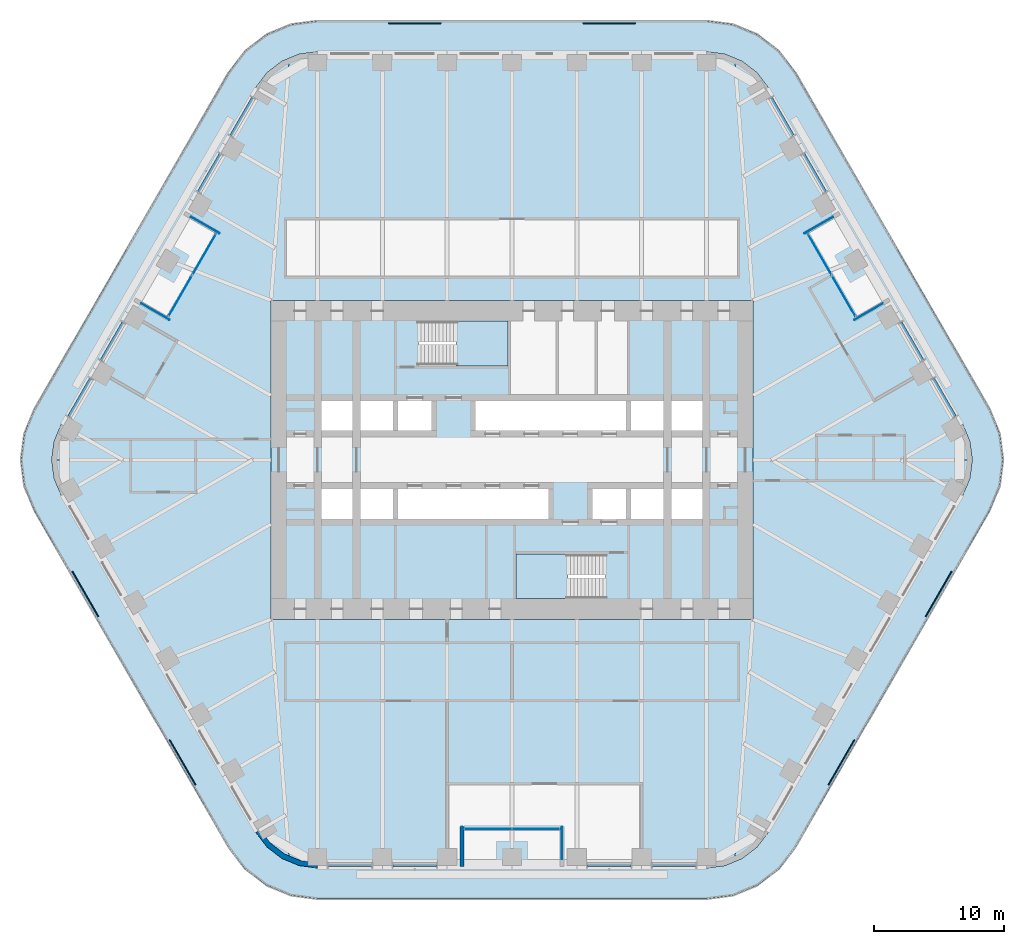
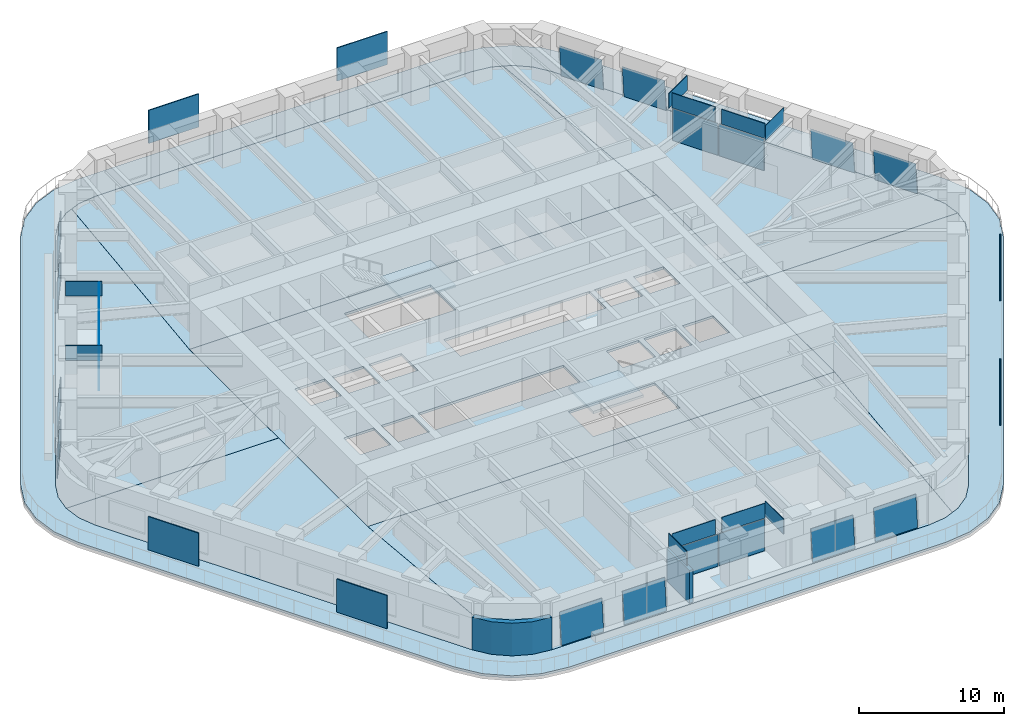
# One storey, part 16 of 24: 36 plates, 10 slabs, 2 walls, 17 elements without a shape of their own.
"""IFC4 building model written with IfcOpenShell, lengths in metres."""

from ifc_helpers import new_model, si_unit, direction, frame, frame_2d, origin, origin_2d, place, context, subcontext, project, spatial, polyline, rectangle, outline, extrude, material, layer, layer_set, type_object, element, aggregate, save


model = new_model("IFC4")

# Units and contexts
model_context = context("Model", 3, precision=1e-05, world=origin(), true_north=direction((0.0, 1.0)))
body_context = subcontext(model_context, "Body", "Model", "MODEL_VIEW")
ifc_project = project(units=[si_unit("LENGTHUNIT", "METRE"), si_unit("AREAUNIT", "SQUARE_METRE"), si_unit("VOLUMEUNIT", "CUBIC_METRE"), si_unit("PLANEANGLEUNIT", "RADIAN"), si_unit("MASSUNIT", "GRAM", prefix="KILO")], contexts=[model_context])

# Site, building, storey
site_placement = place(None, origin())
site = spatial("IfcSite", under=ifc_project, at=site_placement, CompositionType="ELEMENT")
building_placement = place(site_placement, origin())
building = spatial("IfcBuilding", under=site, at=building_placement, Name="Tarfa Lantern Tower", CompositionType="ELEMENT")
storey_placement = place(building_placement, frame((0.0, 0.0, 182.5)))
storey = spatial("IfcBuildingStorey", under=building, at=storey_placement, Name="L41", CompositionType="ELEMENT", Elevation=182.5)

# Slab
ifc_material_1 = material(Name="Concrete C40/50", Category="concrete")
ifc_layer_1 = layer(ifc_material_1, 0.199951171875)
ifc_layer_set_1 = layer_set([ifc_layer_1], Name="BS2 BALCONY SLAB 200")
slab_type_1 = type_object("IfcSlabType", Name="BS2 BALCONY SLAB 200", PredefinedType="FLOOR", material=ifc_layer_set_1)
slab_1_placement = place(storey_placement, frame((0.0, 0.0, -0.199951171875)))
element("IfcSlab", 1, at=slab_1_placement, inside=storey, type_object=slab_type_1, Name="Balcony L41", PredefinedType="FLOOR", context=body_context, shape_type="SweptSolid", body=[
    extrude(outline(polyline([(36.86376953125, 3.949951171875), (21.852783203125, 29.949951171875), (20.59716796875, 31.586181640625), (18.961181640625, 32.841552734375), (17.0556640625, 33.630859375), (15.010986328125, 33.89990234375), (-15.010986328125, 33.89990234375), (-17.0556640625, 33.630859375), (-18.961181640625, 32.841552734375), (-20.59716796875, 31.586181640625), (-21.852783203125, 29.949951171875), (-36.86376953125, 3.949951171875), (-37.653076171875, 2.044677734375), (-37.922119140625, 0.0), (-37.653076171875, -2.044677734375), (-36.86376953125, -3.949951171875), (-21.852783203125, -29.949951171875), (-20.59716796875, -31.586181640625), (-18.961181640625, -32.841552734375), (-17.0556640625, -33.630859375), (-15.010986328125, -33.89990234375), (15.010986328125, -33.89990234375), (17.0556640625, -33.630859375), (18.961181640625, -32.841552734375), (20.59716796875, -31.586181640625), (21.852783203125, -29.949951171875), (36.86376953125, -3.949951171875), (37.653076171875, -2.044677734375), (37.922119140625, 0.0), (37.653076171875, 2.044677734375), (36.86376953125, 3.949951171875)]), holes=[polyline([(34.785400390625, 2.75), (19.774169921875, 28.75), (18.900146484375, 29.88916015625), (17.760986328125, 30.76318359375), (16.4345703125, 31.3125), (15.010986328125, 31.5), (-15.010986328125, 31.5), (-16.4345703125, 31.3125), (-17.760986328125, 30.76318359375), (-18.900146484375, 29.88916015625), (-19.774169921875, 28.75), (-34.785400390625, 2.75), (-35.334716796875, 1.423583984375), (-35.522216796875, 0.0), (-35.334716796875, -1.423583984375), (-34.785400390625, -2.75), (-19.774169921875, -28.75), (-18.900146484375, -29.88916015625), (-17.760986328125, -30.76318359375), (-16.4345703125, -31.3125), (-15.010986328125, -31.5), (15.010986328125, -31.5), (16.4345703125, -31.3125), (17.760986328125, -30.76318359375), (18.900146484375, -29.88916015625), (19.774169921875, -28.75), (34.785400390625, -2.75), (35.334716796875, -1.423583984375), (35.522216796875, 0.0), (35.334716796875, 1.423583984375), (34.785400390625, 2.75)])]), origin(), (0.0, 0.0, 1.0), 0.199951171875),
])

# Curtain wall, plate
ifc_material_2 = material(Name="Aluminium framed curtain wall", Category="aluminium")
curtain_wall_type_1 = type_object("IfcCurtainWallType", Name="CW2 CANTED GLAZING MID ZONE 2750", PredefinedType="USERDEFINED", material=ifc_material_2)
curtain_wall_1_placement = place(storey_placement, origin())
curtain_wall_1 = element("IfcCurtainWall", 2, at=curtain_wall_1_placement, inside=storey, type_object=curtain_wall_type_1, Name="CW2 NE L41", ObjectType="CURTAIN WALL", PredefinedType="USERDEFINED")
ifc_material_3 = material(Name="Laminated double glazing", Category="glass")
ifc_layer_2 = layer(ifc_material_3, 0.028076171875)
ifc_layer_set_2 = layer_set([ifc_layer_2], Name="CWP1 DOUBLE GLAZED PANEL")
plate_type_1 = type_object("IfcPlateType", Name="CWP1 DOUBLE GLAZED PANEL", PredefinedType="CURTAIN_PANEL", material=ifc_layer_set_2)
plate_1_placement = place(storey_placement, frame((34.291259765625, 3.40576171875, 0.0), z_axis=(0.862490403653, 0.497906600839, 0.090550099107), x_axis=(-0.499960487749, 0.866048214992, 0.0)))
plate_1 = element("IfcPlate", 3, at=plate_1_placement, type_object=plate_type_1, Name="CW2 panel 1.1", PredefinedType="CURTAIN_PANEL", context=body_context, shape_type="SweptSolid", body=[
    extrude(outline(polyline([(0.0, 0.0), (3.373801769256558, 0.0), (3.373787529728875, 2.6961345800680987), (-1.4239527682619046e-05, 2.6961345800680987), (0.0, 0.0)])), origin(), (0.0, 0.0, -1.0), 0.028076171875),
])
aggregate(curtain_wall_1, [plate_1])

curtain_wall_2_placement = place(storey_placement, origin())
curtain_wall_2 = element("IfcCurtainWall", 4, at=curtain_wall_2_placement, inside=storey, type_object=curtain_wall_type_1, Name="CW2 NE L41", ObjectType="CURTAIN WALL", PredefinedType="USERDEFINED")
plate_2_placement = place(storey_placement, frame((31.789306640625, 7.7392578125, 0.0), z_axis=(0.86245984588, 0.497966600243, 0.090511210832), x_axis=(-0.500018737427, 0.866014585451, -2.824613e-06)))
plate_2 = element("IfcPlate", 5, at=plate_2_placement, type_object=plate_type_1, Name="CW2 panel 1.1", PredefinedType="CURTAIN_PANEL", context=body_context, shape_type="SweptSolid", body=[
    extrude(outline(polyline([(0.0, 0.0), (3.3735903322694574, -2.7755575615628914e-17), (3.373584929142382, 2.6961345780447465), (-0.00012747801414286628, 2.696115440975584), (0.0, 0.0)])), origin(), (0.0, 0.0, -1.0), 0.028076171875),
])
aggregate(curtain_wall_2, [plate_2])

curtain_wall_3_placement = place(storey_placement, origin())
curtain_wall_3 = element("IfcCurtainWall", 6, at=curtain_wall_3_placement, inside=storey, type_object=curtain_wall_type_1, Name="CW2 NEB L41", ObjectType="CURTAIN WALL", PredefinedType="USERDEFINED")
plate_3_placement = place(storey_placement, frame((24.283935546875, 20.7392578125, 0.0), z_axis=(0.862441180369, 0.497991857304, 0.090550099186), x_axis=(-0.500046095904, 0.865998788666, 0.0)))
plate_3 = element("IfcPlate", 7, at=plate_3_placement, type_object=plate_type_1, Name="CW2 panel 1.1", PredefinedType="CURTAIN_PANEL", context=body_context, shape_type="SweptSolid", body=[
    extrude(outline(polyline([(0.0, 0.0), (3.373712408853507, 2.7755575615628914e-17), (3.373722302583923, 2.696134580087549), (9.893730415961136e-06, 2.696134580087549), (0.0, 0.0)])), origin(), (0.0, 0.0, -1.0), 0.028076171875),
])
aggregate(curtain_wall_3, [plate_3])

curtain_wall_4_placement = place(storey_placement, origin())
curtain_wall_4 = element("IfcCurtainWall", 8, at=curtain_wall_4_placement, inside=storey, type_object=curtain_wall_type_1, Name="CW2 NEB L41", ObjectType="CURTAIN WALL", PredefinedType="USERDEFINED")
plate_4_placement = place(storey_placement, frame((21.781982421875, 25.072509765625, 0.0), z_axis=(0.862472388202, 0.497937806475, 0.090550099238), x_axis=(-0.499991822116, 0.866030125237, 0.0)))
plate_4 = element("IfcPlate", 9, at=plate_4_placement, type_object=plate_type_1, Name="CW2 panel 1.1", PredefinedType="CURTAIN_PANEL", context=body_context, shape_type="SweptSolid", body=[
    extrude(outline(polyline([(0.0, 0.0), (3.3735903339122224, 2.7755575615628914e-17), (3.3735849274996186, 2.6961345801002814), (-5.40641260378432e-06, 2.6961345801002814), (0.0, 0.0)])), origin(), (0.0, 0.0, -1.0), 0.028076171875),
])
aggregate(curtain_wall_4, [plate_4])

# Curtain wall, plates
curtain_wall_type_2 = type_object("IfcCurtainWallType", Name="CW10 LOGGIA GLAZING 2750", PredefinedType="USERDEFINED", material=ifc_material_2)
curtain_wall_5_placement = place(storey_placement, origin())
curtain_wall_5 = element("IfcCurtainWall", 10, at=curtain_wall_5_placement, inside=storey, type_object=curtain_wall_type_2, Name="CW10 NEL L41", ObjectType="CURTAIN WALL", PredefinedType="USERDEFINED")
plate_5_placement = place(storey_placement, frame((25.599609375, 12.660400390625, 0.0), z_axis=(0.0, 0.0, 1.0), x_axis=(-0.5, 0.866025403784, 0.0)))
plate_5 = element("IfcPlate", 11, at=plate_5_placement, type_object=plate_type_1, Name="CW10 panel 1.1", PredefinedType="CURTAIN_PANEL", context=body_context, shape_type="SweptSolid", body=[
    extrude(rectangle(XDim=3.606201171875, YDim=0.028076171875, at=origin_2d()), origin(), (0.0, 0.0, 1.0), 2.68505859375),
])
plate_6_placement = place(storey_placement, frame((23.763916015625, 15.839599609375, 0.0), z_axis=(0.0, 0.0, 1.0), x_axis=(-0.5, 0.866025403784, 0.0)))
plate_6 = element("IfcPlate", 12, at=plate_6_placement, type_object=plate_type_1, Name="CW10 panel 2.1", PredefinedType="CURTAIN_PANEL", context=body_context, shape_type="SweptSolid", body=[
    extrude(rectangle(XDim=3.606201171875, YDim=0.028076171875, at=origin_2d()), origin(), (0.0, 0.0, 1.0), 2.68505859375),
])
aggregate(curtain_wall_5, [plate_5, plate_6])

# Curtain wall, plate
curtain_wall_6_placement = place(storey_placement, origin())
curtain_wall_6 = element("IfcCurtainWall", 13, at=curtain_wall_6_placement, inside=storey, type_object=curtain_wall_type_1, Name="CW2 NW L41", ObjectType="CURTAIN WALL", PredefinedType="USERDEFINED")
plate_7_placement = place(storey_placement, frame((-20.09521484375, 27.994140625, 0.0), z_axis=(-0.862472388202, 0.497937806475, 0.090550099238), x_axis=(-0.499991822116, -0.866030125237, 0.0)))
plate_7 = element("IfcPlate", 14, at=plate_7_placement, type_object=plate_type_1, Name="CW2 panel 1.1", PredefinedType="CURTAIN_PANEL", context=body_context, shape_type="SweptSolid", body=[
    extrude(outline(polyline([(0.0, 0.0), (3.3735903339122224, -2.7755575615628914e-17), (3.3735957403248262, 2.6961345801002814), (5.40641260378432e-06, 2.6961345801002814), (0.0, 0.0)])), origin(), (0.0, 0.0, -1.0), 0.028076171875),
])
aggregate(curtain_wall_6, [plate_7])

curtain_wall_7_placement = place(storey_placement, origin())
curtain_wall_7 = element("IfcCurtainWall", 15, at=curtain_wall_7_placement, inside=storey, type_object=curtain_wall_type_1, Name="CW2 NW L41", ObjectType="CURTAIN WALL", PredefinedType="USERDEFINED")
plate_8_placement = place(storey_placement, frame((-22.596923828125, 23.660888671875, 0.0), z_axis=(-0.862441180369, 0.497991857304, 0.090550099186), x_axis=(-0.500046095904, -0.865998788666, 0.0)))
plate_8 = element("IfcPlate", 16, at=plate_8_placement, type_object=plate_type_1, Name="CW2 panel 1.1", PredefinedType="CURTAIN_PANEL", context=body_context, shape_type="SweptSolid", body=[
    extrude(outline(polyline([(0.0, 0.0), (3.373712408853507, -2.7755575615628914e-17), (3.3737025151230906, 2.696134580087549), (-9.893730415961136e-06, 2.696134580087549), (0.0, 0.0)])), origin(), (0.0, 0.0, -1.0), 0.028076171875),
])
aggregate(curtain_wall_7, [plate_8])

curtain_wall_8_placement = place(storey_placement, origin())
curtain_wall_8 = element("IfcCurtainWall", 17, at=curtain_wall_8_placement, inside=storey, type_object=curtain_wall_type_1, Name="CW2 NWB L41", ObjectType="CURTAIN WALL", PredefinedType="USERDEFINED")
plate_9_placement = place(storey_placement, frame((-30.1025390625, 10.660888671875, 0.0), z_axis=(-0.86245984588, 0.497966600243, 0.090511210832), x_axis=(-0.500018737427, -0.866014585451, 2.824613e-06)))
plate_9 = element("IfcPlate", 18, at=plate_9_placement, type_object=plate_type_1, Name="CW2 panel 1.1", PredefinedType="CURTAIN_PANEL", context=body_context, shape_type="SweptSolid", body=[
    extrude(outline(polyline([(0.0, 0.0), (3.3735903322694574, 2.7755575615628914e-17), (3.3737178102836, 2.696115440975584), (5.4031270756551335e-06, 2.6961345780447465), (0.0, 0.0)])), origin(), (0.0, 0.0, -1.0), 0.028076171875),
])
aggregate(curtain_wall_8, [plate_9])

curtain_wall_9_placement = place(storey_placement, origin())
curtain_wall_9 = element("IfcCurtainWall", 19, at=curtain_wall_9_placement, inside=storey, type_object=curtain_wall_type_1, Name="CW2 NWB L41", ObjectType="CURTAIN WALL", PredefinedType="USERDEFINED")
plate_10_placement = place(storey_placement, frame((-32.6044921875, 6.32763671875, 0.0), z_axis=(-0.862490403653, 0.497906600839, 0.090550099107), x_axis=(-0.499960487749, -0.866048214992, 0.0)))
plate_10 = element("IfcPlate", 20, at=plate_10_placement, type_object=plate_type_1, Name="CW2 panel 1.1", PredefinedType="CURTAIN_PANEL", context=body_context, shape_type="SweptSolid", body=[
    extrude(outline(polyline([(0.0, 0.0), (3.373801769256558, 0.0), (3.37381600878424, 2.6961345800680987), (1.4239527682619046e-05, 2.6961345800680987), (0.0, 0.0)])), origin(), (0.0, 0.0, -1.0), 0.028076171875),
])
aggregate(curtain_wall_9, [plate_10])

# Curtain wall, plates
curtain_wall_10_placement = place(storey_placement, origin())
curtain_wall_10 = element("IfcCurtainWall", 21, at=curtain_wall_10_placement, inside=storey, type_object=curtain_wall_type_2, Name="CW10 NWL L41", ObjectType="CURTAIN WALL", PredefinedType="USERDEFINED")
plate_11_placement = place(storey_placement, frame((-23.763916015625, 15.839599609375, 0.0), z_axis=(0.0, 0.0, 1.0), x_axis=(-0.5, -0.866025403784, 0.0)))
plate_11 = element("IfcPlate", 22, at=plate_11_placement, type_object=plate_type_1, Name="CW10 panel 1.1", PredefinedType="CURTAIN_PANEL", context=body_context, shape_type="SweptSolid", body=[
    extrude(rectangle(XDim=3.606201171875, YDim=0.028076171875, at=origin_2d()), origin(), (0.0, 0.0, 1.0), 2.68505859375),
])
plate_12_placement = place(storey_placement, frame((-25.599609375, 12.660400390625, 0.0), z_axis=(0.0, 0.0, 1.0), x_axis=(-0.5, -0.866025403784, 0.0)))
plate_12 = element("IfcPlate", 23, at=plate_12_placement, type_object=plate_type_1, Name="CW10 panel 2.1", PredefinedType="CURTAIN_PANEL", context=body_context, shape_type="SweptSolid", body=[
    extrude(rectangle(XDim=3.606201171875, YDim=0.028076171875, at=origin_2d()), origin(), (0.0, 0.0, 1.0), 2.68505859375),
])
aggregate(curtain_wall_10, [plate_11, plate_12])

# Curtain wall, plate
curtain_wall_11_placement = place(storey_placement, origin())
curtain_wall_11 = element("IfcCurtainWall", 24, at=curtain_wall_11_placement, inside=storey, type_object=curtain_wall_type_1, Name="CW2 S L41", ObjectType="CURTAIN WALL", PredefinedType="USERDEFINED")
plate_13_placement = place(storey_placement, frame((-14.196044921875, -31.39990234375, 0.0), z_axis=(0.0, -0.995899883883, 0.090462264412), x_axis=(1.0, 0.0, 0.0)))
plate_13 = element("IfcPlate", 25, at=plate_13_placement, type_object=plate_type_1, Name="CW2 panel 1.1", PredefinedType="CURTAIN_PANEL", context=body_context, shape_type="SweptSolid", body=[
    extrude(outline(polyline([(0.0, 0.0), (3.37353515625, 0.0), (3.37353515625, 2.696112969992395), (0.0, 2.696112969992395), (0.0, 0.0)])), origin(), (0.0, 0.0, -1.0), 0.028076171875),
])
aggregate(curtain_wall_11, [plate_13])

curtain_wall_12_placement = place(storey_placement, origin())
curtain_wall_12 = element("IfcCurtainWall", 26, at=curtain_wall_12_placement, inside=storey, type_object=curtain_wall_type_1, Name="CW2 S L41", ObjectType="CURTAIN WALL", PredefinedType="USERDEFINED")
plate_14_placement = place(storey_placement, frame((-9.1923828125, -31.39990234375, 0.0), z_axis=(0.0, -0.995899883883, 0.090462264412), x_axis=(1.0, 0.0, 0.0)))
plate_14 = element("IfcPlate", 27, at=plate_14_placement, type_object=plate_type_1, Name="CW2 panel 1.1", PredefinedType="CURTAIN_PANEL", context=body_context, shape_type="SweptSolid", body=[
    extrude(outline(polyline([(0.0, 0.0), (3.373779296875, 0.0), (3.373779296875, 2.696112969992395), (0.0, 2.696112969992395), (0.0, 0.0)])), origin(), (0.0, 0.0, -1.0), 0.028076171875),
])
aggregate(curtain_wall_12, [plate_14])

curtain_wall_13_placement = place(storey_placement, origin())
curtain_wall_13 = element("IfcCurtainWall", 28, at=curtain_wall_13_placement, inside=storey, type_object=curtain_wall_type_1, Name="CW2 SB L41", ObjectType="CURTAIN WALL", PredefinedType="USERDEFINED")
plate_15_placement = place(storey_placement, frame((5.818603515625, -31.39990234375, 0.0), z_axis=(0.0, -0.995899883883, 0.090462264412), x_axis=(1.0, 0.0, 0.0)))
plate_15 = element("IfcPlate", 29, at=plate_15_placement, type_object=plate_type_1, Name="CW2 panel 1.1", PredefinedType="CURTAIN_PANEL", context=body_context, shape_type="SweptSolid", body=[
    extrude(outline(polyline([(0.0, 0.0), (3.373779296875, 0.0), (3.373779296875, 2.696112969992395), (0.0, 2.696112969992395), (0.0, 0.0)])), origin(), (0.0, 0.0, -1.0), 0.028076171875),
])
aggregate(curtain_wall_13, [plate_15])

curtain_wall_14_placement = place(storey_placement, origin())
curtain_wall_14 = element("IfcCurtainWall", 30, at=curtain_wall_14_placement, inside=storey, type_object=curtain_wall_type_1, Name="CW2 SB L41", ObjectType="CURTAIN WALL", PredefinedType="USERDEFINED")
plate_16_placement = place(storey_placement, frame((10.822509765625, -31.39990234375, 0.0), z_axis=(0.0, -0.995899883883, 0.090462264412), x_axis=(1.0, 0.0, 0.0)))
plate_16 = element("IfcPlate", 31, at=plate_16_placement, type_object=plate_type_1, Name="CW2 panel 1.1", PredefinedType="CURTAIN_PANEL", context=body_context, shape_type="SweptSolid", body=[
    extrude(outline(polyline([(0.0, 0.0), (3.37353515625, 0.0), (3.37353515625, 2.696112969992395), (0.0, 2.696112969992395), (0.0, 0.0)])), origin(), (0.0, 0.0, -1.0), 0.028076171875),
])
aggregate(curtain_wall_14, [plate_16])

# Curtain wall, plates
curtain_wall_15_placement = place(storey_placement, origin())
curtain_wall_15 = element("IfcCurtainWall", 32, at=curtain_wall_15_placement, inside=storey, type_object=curtain_wall_type_2, Name="CW10 SL L41", ObjectType="CURTAIN WALL", PredefinedType="USERDEFINED")
plate_17_placement = place(storey_placement, frame((-1.835693359375, -28.5, 0.0), z_axis=(0.0, 0.0, 1.0), x_axis=(1.0, 0.0, 0.0)))
plate_17 = element("IfcPlate", 33, at=plate_17_placement, type_object=plate_type_1, Name="CW10 panel 1.1", PredefinedType="CURTAIN_PANEL", context=body_context, shape_type="SweptSolid", body=[
    extrude(rectangle(XDim=3.606201171875, YDim=0.028076171875, at=origin_2d()), origin(), (0.0, 0.0, 1.0), 2.68505859375),
])
plate_18_placement = place(storey_placement, frame((1.835693359375, -28.5, 0.0), z_axis=(0.0, 0.0, 1.0), x_axis=(1.0, 0.0, 0.0)))
plate_18 = element("IfcPlate", 34, at=plate_18_placement, type_object=plate_type_1, Name="CW10 panel 2.1", PredefinedType="CURTAIN_PANEL", context=body_context, shape_type="SweptSolid", body=[
    extrude(rectangle(XDim=3.606201171875, YDim=0.028076171875, at=origin_2d()), origin(), (0.0, 0.0, 1.0), 2.68505859375),
])
aggregate(curtain_wall_15, [plate_17, plate_18])

# Slabs
ifc_layer_3 = layer(ifc_material_1, 0.199951171875)
ifc_layer_set_3 = layer_set([ifc_layer_3], Name="FS1 FLOOR SLAB 200")
slab_type_2 = type_object("IfcSlabType", Name="FS1 FLOOR SLAB 200", PredefinedType="FLOOR", material=ifc_layer_set_3)
slab_2_placement = place(storey_placement, frame((0.0, 0.0, -0.199951171875)))
element("IfcSlab", 35, at=slab_2_placement, inside=storey, type_object=slab_type_2, Name="Floor slab L41", PredefinedType="FLOOR", context=body_context, shape_type="SweptSolid", body=[
    extrude(outline(polyline([(-18.60009765625, -12.300048828125), (18.60009765625, -12.300048828125), (18.60009765625, 12.300048828125), (-18.60009765625, 12.300048828125), (-18.60009765625, -12.300048828125)]), holes=[polyline([(-14.699951171875, 2.25), (-12.300048828125, 2.25), (-12.300048828125, 4.550048828125), (-14.699951171875, 4.550048828125), (-14.699951171875, 2.25)]), polyline([(-11.699951171875, 2.25), (-9.199951171875, 2.25), (-9.199951171875, 4.550048828125), (-11.699951171875, 4.550048828125), (-11.699951171875, 2.25)]), polyline([(-8.800048828125, 2.25), (-6.199951171875, 2.25), (-6.199951171875, 4.550048828125), (-8.800048828125, 4.550048828125), (-8.800048828125, 2.25)]), polyline([(-2.800048828125, 2.25), (8.800048828125, 2.25), (8.800048828125, 4.550048828125), (-2.800048828125, 4.550048828125), (-2.800048828125, 2.25)]), polyline([(9.199951171875, 2.25), (11.699951171875, 2.25), (11.699951171875, 4.550048828125), (9.199951171875, 4.550048828125), (9.199951171875, 2.25)]), polyline([(12.300048828125, 2.25), (14.699951171875, 2.25), (14.699951171875, 4.550048828125), (12.300048828125, 4.550048828125), (12.300048828125, 2.25)]), polyline([(14.699951171875, -2.25), (12.300048828125, -2.25), (12.300048828125, -4.550048828125), (14.699951171875, -4.550048828125), (14.699951171875, -2.25)]), polyline([(11.699951171875, -2.25), (9.199951171875, -2.25), (9.199951171875, -4.550048828125), (11.699951171875, -4.550048828125), (11.699951171875, -2.25)]), polyline([(8.800048828125, -2.25), (6.199951171875, -2.25), (6.199951171875, -4.550048828125), (8.800048828125, -4.550048828125), (8.800048828125, -2.25)]), polyline([(2.800048828125, -2.25), (-8.800048828125, -2.25), (-8.800048828125, -4.550048828125), (2.800048828125, -4.550048828125), (2.800048828125, -2.25)]), polyline([(-9.199951171875, -2.25), (-11.699951171875, -2.25), (-11.699951171875, -4.550048828125), (-9.199951171875, -4.550048828125), (-9.199951171875, -2.25)]), polyline([(-12.300048828125, -2.25), (-14.699951171875, -2.25), (-14.699951171875, -4.550048828125), (-12.300048828125, -4.550048828125), (-12.300048828125, -2.25)]), polyline([(-7.199951171875, 7.25), (-0.300048828125, 7.25), (-0.300048828125, 10.699951171875), (-7.199951171875, 10.699951171875), (-7.199951171875, 7.25)]), polyline([(7.199951171875, -7.25), (0.300048828125, -7.25), (0.300048828125, -10.699951171875), (7.199951171875, -10.699951171875), (7.199951171875, -7.25)])]), origin(), (0.0, 0.0, 1.0), 0.199951171875),
])
slab_3_placement = place(storey_placement, frame((0.0, 0.0, -0.199951171875)))
element("IfcSlab", 36, at=slab_3_placement, inside=storey, type_object=slab_type_2, Name="Floor slab L41 NE bay", PredefinedType="FLOOR", context=body_context, shape_type="SweptSolid", body=[
    extrude(outline(polyline([(34.783447265625, 2.7490234375), (19.7724609375, 28.748779296875), (18.898681640625, 29.8876953125), (17.760009765625, 30.761474609375), (17.19189453125, 30.996826171875), (18.60205078125, 12.300048828125), (18.60205078125, 0.001953125), (35.52001953125, 0.001953125), (35.332763671875, 1.423095703125), (34.783447265625, 2.7490234375)])), origin(), (0.0, 0.0, 1.0), 0.199951171875),
])
slab_4_placement = place(storey_placement, frame((0.0, 0.0, -0.199951171875)))
element("IfcSlab", 37, at=slab_4_placement, inside=storey, type_object=slab_type_2, Name="Floor slab L41 N bay", PredefinedType="FLOOR", context=body_context, shape_type="SweptSolid", body=[
    extrude(outline(polyline([(-18.597900390625, 12.302001953125), (18.597900390625, 12.302001953125), (17.187744140625, 30.99853515625), (16.43408203125, 31.310546875), (15.010986328125, 31.498046875), (-15.010986328125, 31.498046875), (-16.43408203125, 31.310546875), (-17.187744140625, 30.99853515625), (-18.597900390625, 12.302001953125)])), origin(), (0.0, 0.0, 1.0), 0.199951171875),
])
slab_5_placement = place(storey_placement, frame((0.0, 0.0, -0.199951171875)))
element("IfcSlab", 38, at=slab_5_placement, inside=storey, type_object=slab_type_2, Name="Floor slab L41 NW bay", PredefinedType="FLOOR", context=body_context, shape_type="SweptSolid", body=[
    extrude(outline(polyline([(-18.60205078125, 0.001953125), (-18.60205078125, 12.300048828125), (-17.19189453125, 30.996826171875), (-17.760009765625, 30.761474609375), (-18.898681640625, 29.8876953125), (-19.7724609375, 28.748779296875), (-34.783447265625, 2.7490234375), (-35.332763671875, 1.423095703125), (-35.52001953125, 0.001953125), (-18.60205078125, 0.001953125)])), origin(), (0.0, 0.0, 1.0), 0.199951171875),
])
slab_6_placement = place(storey_placement, frame((0.0, 0.0, -0.199951171875)))
element("IfcSlab", 39, at=slab_6_placement, inside=storey, type_object=slab_type_2, Name="Floor slab L41 SW bay", PredefinedType="FLOOR", context=body_context, shape_type="SweptSolid", body=[
    extrude(outline(polyline([(-18.60205078125, -12.300048828125), (-18.60205078125, -0.001953125), (-35.52001953125, -0.001953125), (-35.332763671875, -1.423095703125), (-34.783447265625, -2.7490234375), (-19.7724609375, -28.748779296875), (-18.898681640625, -29.8876953125), (-17.760009765625, -30.761474609375), (-17.19189453125, -30.996826171875), (-18.60205078125, -12.300048828125)])), origin(), (0.0, 0.0, 1.0), 0.199951171875),
])
slab_7_placement = place(storey_placement, frame((0.0, 0.0, -0.199951171875)))
element("IfcSlab", 40, at=slab_7_placement, inside=storey, type_object=slab_type_2, Name="Floor slab L41 S bay", PredefinedType="FLOOR", context=body_context, shape_type="SweptSolid", body=[
    extrude(outline(polyline([(18.597900390625, -12.302001953125), (-18.597900390625, -12.302001953125), (-17.187744140625, -30.99853515625), (-16.43408203125, -31.310546875), (-15.010986328125, -31.498046875), (15.010986328125, -31.498046875), (16.43408203125, -31.310546875), (17.187744140625, -30.99853515625), (18.597900390625, -12.302001953125)])), origin(), (0.0, 0.0, 1.0), 0.199951171875),
])
slab_8_placement = place(storey_placement, frame((0.0, 0.0, -0.199951171875)))
element("IfcSlab", 41, at=slab_8_placement, inside=storey, type_object=slab_type_2, Name="Floor slab L41 SE bay", PredefinedType="FLOOR", context=body_context, shape_type="SweptSolid", body=[
    extrude(outline(polyline([(18.60205078125, -0.001953125), (18.60205078125, -12.300048828125), (17.19189453125, -30.996826171875), (17.760009765625, -30.761474609375), (18.898681640625, -29.8876953125), (19.7724609375, -28.748779296875), (34.783447265625, -2.7490234375), (35.332763671875, -1.423095703125), (35.52001953125, -0.001953125), (18.60205078125, -0.001953125)])), origin(), (0.0, 0.0, 1.0), 0.199951171875),
])

# Plates
ifc_material_4 = material(Name="Aluminium fascia panel", Category="aluminium")
ifc_layer_4 = layer(ifc_material_4, 0.050048828125)
ifc_layer_set_4 = layer_set([ifc_layer_4], Name="LF1 LOGGIA HEAD FASCIA 50")
plate_type_2 = type_object("IfcPlateType", Name="LF1 LOGGIA HEAD FASCIA 50", PredefinedType="USERDEFINED", material=ifc_layer_set_4)
for number, where, z_axis, x_axis, name in (
    (42, (25.670166015625, 12.5380859375, 2.75), (0.0, 0.0, 1.0), (-0.5, 0.866025403784, 0.0), "Loggia head fascia NE"),
    (43, (23.693359375, 15.9619140625, 2.75), (0.0, 0.0, 1.0), (-0.5, 0.866025403784, 0.0), "Loggia head fascia NE"),
):
    element("IfcPlate", number, at=place(storey_placement, frame(where, z_axis=z_axis, x_axis=x_axis)), inside=storey, type_object=plate_type_2, Name=name, ObjectType="FASCIA", PredefinedType="USERDEFINED", context=body_context, shape_type="SweptSolid", body=[
        extrude(rectangle(XDim=3.45361328125, YDim=0.050048828125, at=origin_2d()), origin(), (0.0, 0.0, 1.0), 1.25),
    ])
for number, where, z_axis, x_axis, name in (
    (44, (27.526611328125, 11.442626953125, 2.75), (0.0, 0.0, 1.0), (-0.866025403784, -0.5, 0.0), "Loggia head fascia NE"),
    (45, (23.6728515625, 18.117431640625, 2.75), (0.0, 0.0, 1.0), (-0.866025403784, -0.5, 0.0), "Loggia head fascia NE"),
):
    element("IfcPlate", number, at=place(storey_placement, frame(where, z_axis=z_axis, x_axis=x_axis)), inside=storey, type_object=plate_type_2, Name=name, ObjectType="FASCIA", PredefinedType="USERDEFINED", context=body_context, shape_type="SweptSolid", body=[
        extrude(rectangle(XDim=2.52001953125, YDim=0.050048828125, at=origin_2d()), origin(), (0.0, 0.0, 1.0), 1.25),
    ])
for number, where, z_axis, x_axis, name in (
    (46, (-23.693359375, 15.9619140625, 2.75), (0.0, 0.0, 1.0), (-0.5, -0.866025403784, 0.0), "Loggia head fascia NW"),
    (47, (-25.670166015625, 12.5380859375, 2.75), (0.0, 0.0, 1.0), (-0.5, -0.866025403784, 0.0), "Loggia head fascia NW"),
):
    element("IfcPlate", number, at=place(storey_placement, frame(where, z_axis=z_axis, x_axis=x_axis)), inside=storey, type_object=plate_type_2, Name=name, ObjectType="FASCIA", PredefinedType="USERDEFINED", context=body_context, shape_type="SweptSolid", body=[
        extrude(rectangle(XDim=3.45361328125, YDim=0.050048828125, at=origin_2d()), origin(), (0.0, 0.0, 1.0), 1.25),
    ])
for number, where, z_axis, x_axis, name in (
    (48, (-23.6728515625, 18.117431640625, 2.75), (0.0, 0.0, 1.0), (0.866025403784, -0.5, 0.0), "Loggia head fascia NW"),
    (49, (-27.526611328125, 11.442626953125, 2.75), (0.0, 0.0, 1.0), (0.866025403784, -0.5, 0.0), "Loggia head fascia NW"),
):
    element("IfcPlate", number, at=place(storey_placement, frame(where, z_axis=z_axis, x_axis=x_axis)), inside=storey, type_object=plate_type_2, Name=name, ObjectType="FASCIA", PredefinedType="USERDEFINED", context=body_context, shape_type="SweptSolid", body=[
        extrude(rectangle(XDim=2.52001953125, YDim=0.050048828125, at=origin_2d()), origin(), (0.0, 0.0, 1.0), 1.25),
    ])
for number, where, z_axis, x_axis, name in (
    (50, (-1.976806640625, -28.5, 2.75), (0.0, 0.0, 1.0), (1.0, 0.0, 0.0), "Loggia head fascia S"),
    (51, (1.976806640625, -28.5, 2.75), (0.0, 0.0, 1.0), (1.0, 0.0, 0.0), "Loggia head fascia S"),
):
    element("IfcPlate", number, at=place(storey_placement, frame(where, z_axis=z_axis, x_axis=x_axis)), inside=storey, type_object=plate_type_2, Name=name, ObjectType="FASCIA", PredefinedType="USERDEFINED", context=body_context, shape_type="SweptSolid", body=[
        extrude(rectangle(XDim=3.45361328125, YDim=0.050048828125, at=origin_2d()), origin(), (0.0, 0.0, 1.0), 1.25),
    ])
for number, where, z_axis, x_axis, name in (
    (52, (-3.853759765625, -29.56005859375, 2.75), (0.0, 0.0, 1.0), (0.0, 1.0, 0.0), "Loggia head fascia S"),
    (53, (3.853759765625, -29.56005859375, 2.75), (0.0, 0.0, 1.0), (0.0, 1.0, 0.0), "Loggia head fascia S"),
):
    element("IfcPlate", number, at=place(storey_placement, frame(where, z_axis=z_axis, x_axis=x_axis)), inside=storey, type_object=plate_type_2, Name=name, ObjectType="FASCIA", PredefinedType="USERDEFINED", context=body_context, shape_type="SweptSolid", body=[
        extrude(rectangle(XDim=2.52001953125, YDim=0.050048828125, at=origin_2d()), origin(), (0.0, 0.0, 1.0), 1.25),
    ])
ifc_material_5 = material(Name="Perforated limestone screen", Category="masonry")
ifc_layer_5 = layer(ifc_material_5, 0.080078125)
ifc_layer_set_5 = layer_set([ifc_layer_5], Name="SC1 STONE SCREEN 80")
plate_type_3 = type_object("IfcPlateType", Name="SC1 STONE SCREEN 80", PredefinedType="USERDEFINED", material=ifc_layer_set_5)
for number, where, z_axis, x_axis, name in (
    (54, (7.505615234375, 33.699951171875, 1.2001953125), (0.0, 0.0, 1.0), (-1.0, 0.0, 0.0), "Stone screen N 1"),
    (55, (-7.505615234375, 33.699951171875, 1.2001953125), (0.0, 0.0, 1.0), (-1.0, 0.0, 0.0), "Stone screen N 2"),
    (56, (-32.937744140625, -10.35009765625, 1.2001953125), (0.0, 0.0, 1.0), (0.5, -0.866025403784, 0.0), "Stone screen SW 1"),
    (57, (-25.432373046875, -23.35009765625, 1.2001953125), (0.0, 0.0, 1.0), (0.5, -0.866025403784, 0.0), "Stone screen SW 2"),
    (58, (25.432373046875, -23.35009765625, 1.2001953125), (0.0, 0.0, 1.0), (0.5, 0.866025403784, 0.0), "Stone screen SE 1"),
    (59, (32.937744140625, -10.35009765625, 1.2001953125), (0.0, 0.0, 1.0), (0.5, 0.866025403784, 0.0), "Stone screen SE 2"),
):
    element("IfcPlate", number, at=place(storey_placement, frame(where, z_axis=z_axis, x_axis=x_axis)), inside=storey, type_object=plate_type_3, Name=name, ObjectType="SCREEN", PredefinedType="USERDEFINED", context=body_context, shape_type="SweptSolid", body=[
        extrude(rectangle(XDim=4.0, YDim=0.080078125, at=origin_2d()), origin(), (0.0, 0.0, 1.0), 2.800048828125),
    ])

# Stair, slab
stair_type = type_object("IfcStairType", Name="ST-T10 HALF-TURN STAIR 4200 RISE", PredefinedType="HALF_TURN_STAIR", material=ifc_material_1)
stair_1_placement = place(storey_placement, origin())
stair_1 = element("IfcStair", 60, at=stair_1_placement, inside=storey, type_object=stair_type, Name="Stair ST1", PredefinedType="HALF_TURN_STAIR")
ifc_layer_6 = layer(ifc_material_1, 0.199951171875)
ifc_layer_set_6 = layer_set([ifc_layer_6], Name="SL1 STAIR LANDING 200")
slab_type_3 = type_object("IfcSlabType", Name="SL1 STAIR LANDING 200", PredefinedType="LANDING", material=ifc_layer_set_6)
slab_9_placement = place(storey_placement, frame((0.0, 0.0, 1.89990234375)))
slab_9 = element("IfcSlab", 61, at=slab_9_placement, type_object=slab_type_3, Name="ST1 landing 1", PredefinedType="LANDING", context=body_context, shape_type="SweptSolid", body=[
    extrude(outline(polyline([(-4.320068359375, 7.25), (-0.300048828125, 7.25), (-0.300048828125, 10.699951171875), (-4.320068359375, 10.699951171875), (-4.320068359375, 7.25)])), origin(), (0.0, 0.0, 1.0), 0.2001953125),
])
aggregate(stair_1, [slab_9])

stair_2_placement = place(storey_placement, origin())
stair_2 = element("IfcStair", 62, at=stair_2_placement, inside=storey, type_object=stair_type, Name="Stair ST2", PredefinedType="HALF_TURN_STAIR")
slab_10_placement = place(storey_placement, frame((0.0, 0.0, 1.89990234375)))
slab_10 = element("IfcSlab", 63, at=slab_10_placement, type_object=slab_type_3, Name="ST2 landing 1", PredefinedType="LANDING", context=body_context, shape_type="SweptSolid", body=[
    extrude(outline(polyline([(4.320068359375, -7.25), (0.300048828125, -7.25), (0.300048828125, -10.699951171875), (4.320068359375, -10.699951171875), (4.320068359375, -7.25)])), origin(), (0.0, 0.0, 1.0), 0.2001953125),
])
aggregate(stair_2, [slab_10])

# Walls
ifc_material_6 = material(Name="Limestone cladding on blockwork", Category="masonry")
ifc_layer_7 = layer(ifc_material_6, 0.300048828125)
ifc_layer_set_7 = layer_set([ifc_layer_7], Name="EW1 STONE-CLAD WALL 300")
wall_type_1 = type_object("IfcWallType", Name="EW1 STONE-CLAD WALL 300", PredefinedType="SOLIDWALL", material=ifc_layer_set_7)
wall_1_placement = place(storey_placement, frame((-3.853759765625, -31.39990234375, 0.0), z_axis=(0.0, 0.0, 1.0), x_axis=(0.0, 1.0, 0.0)))
element("IfcWall", 64, at=wall_1_placement, inside=storey, type_object=wall_type_1, Name="Loggia return S 1", PredefinedType="SOLIDWALL", context=body_context, shape_type="SweptSolid", body=[
    extrude(rectangle(XDim=3.099853515625, YDim=0.300048828125, at=frame_2d((1.5498046875, 0.0))), origin(), (0.0, 0.0, 1.0), 2.75),
])
ifc_layer_8 = layer(ifc_material_6, 0.39990234375)
ifc_layer_set_8 = layer_set([ifc_layer_8], Name="EW2 CURVED STONE CORNER 400")
wall_type_2 = type_object("IfcWallType", Name="EW2 CURVED STONE CORNER 400", PredefinedType="SOLIDWALL", material=ifc_layer_set_8)
wall_2_placement = place(storey_placement, origin())
element("IfcWall", 65, at=wall_2_placement, inside=storey, type_object=wall_type_2, Name="Stone corner SW-S", PredefinedType="SOLIDWALL", context=body_context, shape_type="SweptSolid", body=[
    extrude(outline(polyline([(-19.774169921875, -28.75), (-18.900146484375, -29.88916015625), (-17.760986328125, -30.76318359375), (-16.4345703125, -31.3125), (-15.010986328125, -31.5), (-15.010986328125, -31.10009765625), (-16.3310546875, -30.92626953125), (-17.56103515625, -30.416748046875), (-18.617431640625, -29.606201171875), (-19.427734375, -28.550048828125), (-19.774169921875, -28.75)])), origin(), (0.0, 0.0, 1.0), 2.75),
])

save(model, "model.ifc")
